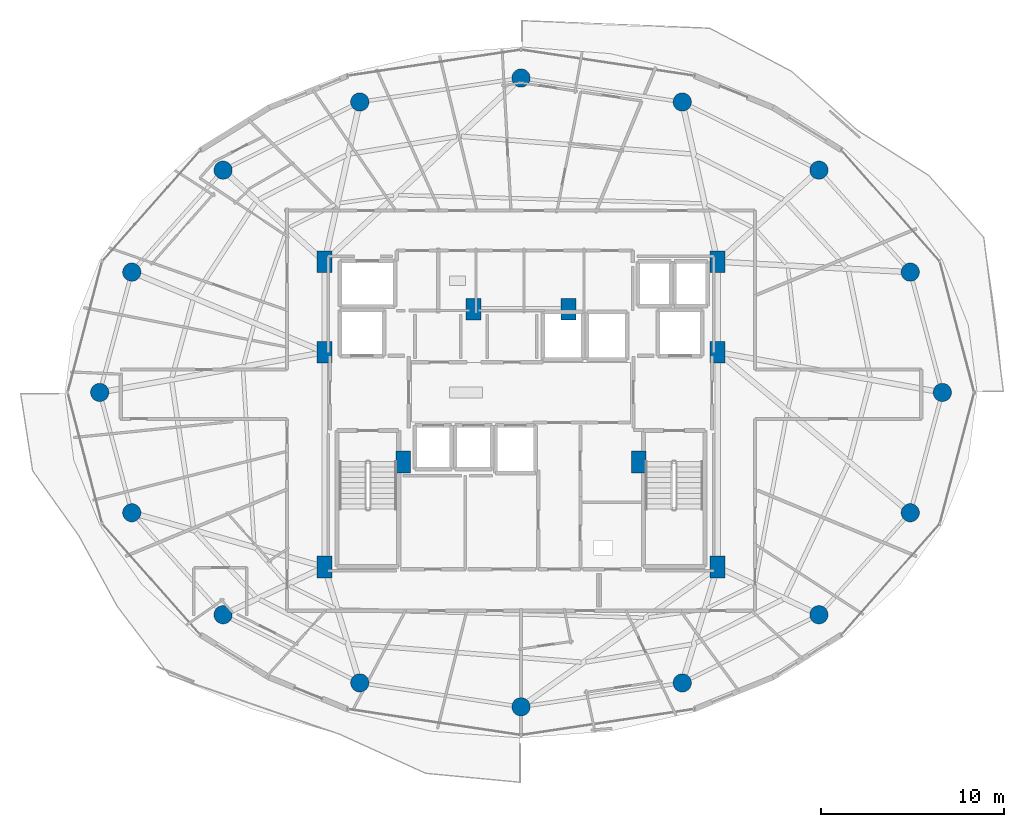
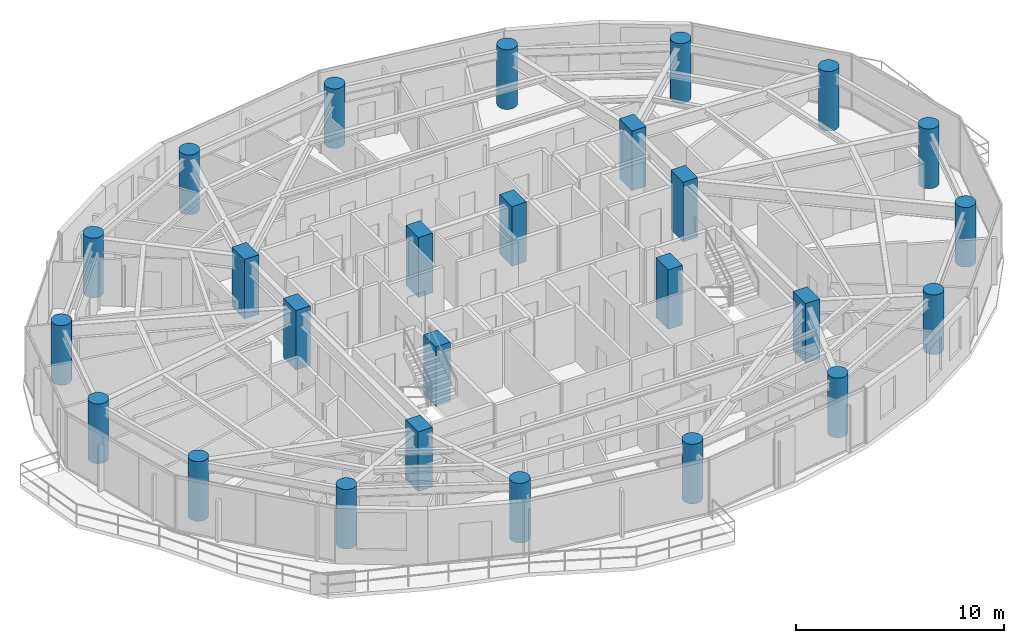
# One storey, part 1 of 28: 26 columns.
"""IFC4 building model written with IfcOpenShell, lengths in metres."""

from ifc_helpers import new_model, si_unit, direction, frame, origin, origin_2d, place, context, subcontext, project, spatial, rectangle, circle, extrude, material, material_profile, profile_set, type_object, element, save


model = new_model("IFC4")

# Units and contexts
model_context = context("Model", 3, precision=1e-05, world=origin(), true_north=direction((0.0, 1.0)))
body_context = subcontext(model_context, "Body", "Model", "MODEL_VIEW")
ifc_project = project(units=[si_unit("LENGTHUNIT", "METRE"), si_unit("AREAUNIT", "SQUARE_METRE"), si_unit("VOLUMEUNIT", "CUBIC_METRE"), si_unit("PLANEANGLEUNIT", "RADIAN"), si_unit("MASSUNIT", "GRAM", prefix="KILO")], contexts=[model_context])

# Site, building, storey
site_placement = place(None, origin())
site = spatial("IfcSite", under=ifc_project, at=site_placement, CompositionType="ELEMENT")
building_placement = place(site_placement, origin())
building = spatial("IfcBuilding", under=site, at=building_placement, Name="Vorneva Point Tower", CompositionType="ELEMENT")
storey_placement = place(building_placement, frame((0.0, 0.0, 160.60009765625)))
storey = spatial("IfcBuildingStorey", under=building, at=storey_placement, Name="L43", CompositionType="ELEMENT", Elevation=160.60009765625)

# Columns
ifc_material = material(Name="Concrete B60 (C50/60)", Category="concrete")
ifc_material_profile_1 = material_profile(ifc_material, circle(Radius=0.5, at=origin_2d()), Name="RC-CIRC 1000")
ifc_profile_set_1 = profile_set([ifc_material_profile_1], Name="Concrete B60 (C50/60)")
column_type_1 = type_object("IfcColumnType", Name="COL-RC1000C", PredefinedType="COLUMN", material=ifc_profile_set_1)
for number, where, z_axis, x_axis, name in (
    (1, (61.050048828125, 26.0, 0.0), (0.0, 0.0, 1.0), (1.0, 0.0, 0.0), "L43 Perimeter Column P01"),
    (2, (59.29541015625, 32.582275390625, 0.0), (0.0, 0.0, 1.0), (0.923879532511, 0.382683432365, 0.0), "L43 Perimeter Column P02"),
    (3, (54.298828125, 38.162109375, 0.0), (0.0, 0.0, 1.0), (0.707106781187, 0.707106781187, 0.0), "L43 Perimeter Column P03"),
    (4, (46.82080078125, 41.890625, 0.0), (0.0, 0.0, 1.0), (0.382683432365, 0.923879532511, 0.0), "L43 Perimeter Column P04"),
    (5, (38.0, 43.199951171875, 0.0), (0.0, 0.0, 1.0), (0.0, 1.0, 0.0), "L43 Perimeter Column P05"),
    (6, (29.17919921875, 41.890625, 0.0), (0.0, 0.0, 1.0), (-0.382683432365, 0.923879532511, 0.0), "L43 Perimeter Column P06"),
    (7, (21.701171875, 38.162109375, 0.0), (0.0, 0.0, 1.0), (-0.707106781187, 0.707106781187, 0.0), "L43 Perimeter Column P07"),
    (8, (16.70458984375, 32.582275390625, 0.0), (0.0, 0.0, 1.0), (-0.923879532511, 0.382683432365, 0.0), "L43 Perimeter Column P08"),
    (9, (14.949951171875, 26.0, 0.0), (0.0, 0.0, 1.0), (-1.0, 0.0, 0.0), "L43 Perimeter Column P09"),
    (10, (16.70458984375, 19.417724609375, 0.0), (0.0, 0.0, 1.0), (-0.923879532511, -0.382683432365, 0.0), "L43 Perimeter Column P10"),
    (11, (21.701171875, 13.837890625, 0.0), (0.0, 0.0, 1.0), (-0.707106781187, -0.707106781187, 0.0), "L43 Perimeter Column P11"),
    (12, (29.17919921875, 10.109375, 0.0), (0.0, 0.0, 1.0), (-0.382683432365, -0.923879532511, 0.0), "L43 Perimeter Column P12"),
    (13, (38.0, 8.800048828125, 0.0), (0.0, 0.0, 1.0), (0.0, -1.0, 0.0), "L43 Perimeter Column P13"),
    (14, (46.82080078125, 10.109375, 0.0), (0.0, 0.0, 1.0), (0.382683432365, -0.923879532511, 0.0), "L43 Perimeter Column P14"),
    (15, (54.298828125, 13.837890625, 0.0), (0.0, 0.0, 1.0), (0.707106781187, -0.707106781187, 0.0), "L43 Perimeter Column P15"),
    (16, (59.29541015625, 19.417724609375, 0.0), (0.0, 0.0, 1.0), (0.923879532511, -0.382683432365, 0.0), "L43 Perimeter Column P16"),
):
    element("IfcColumn", number, at=place(storey_placement, frame(where, z_axis=z_axis, x_axis=x_axis)), inside=storey, type_object=column_type_1, Name=name, PredefinedType="COLUMN", context=body_context, shape_type="SweptSolid", body=[
        extrude(circle(Radius=0.5, at=origin_2d()), origin(), (0.0, 0.0, 1.0), 3.5),
    ])
ifc_material_profile_2 = material_profile(ifc_material, rectangle(XDim=0.800048828125, YDim=1.199951171875, at=origin_2d()), Name="RC-PIL 1200x800")
ifc_profile_set_2 = profile_set([ifc_material_profile_2], Name="Concrete B60 (C50/60)")
column_type_2 = type_object("IfcColumnType", Name="PIL-RC1200x800", PredefinedType="PILASTER", material=ifc_profile_set_2)
for number, where, z_axis, x_axis, name in (
    (17, (27.25, 16.449951171875, 0.0), (0.0, 0.0, 1.0), (1.0, 0.0, 0.0), "L43 Core Pilaster CP1"),
    (18, (27.25, 28.199951171875, 0.0), (0.0, 0.0, 1.0), (1.0, 0.0, 0.0), "L43 Core Pilaster CP2"),
    (19, (27.25, 33.14990234375, 0.0), (0.0, 0.0, 1.0), (1.0, 0.0, 0.0), "L43 Core Pilaster CP3"),
    (20, (31.550048828125, 22.199951171875, 0.0), (0.0, 0.0, 1.0), (1.0, 0.0, 0.0), "L43 Core Pilaster CP4"),
    (21, (48.75, 33.14990234375, 0.0), (0.0, 0.0, 1.0), (1.0, 0.0, 0.0), "L43 Core Pilaster CP5"),
    (22, (48.75, 28.199951171875, 0.0), (0.0, 0.0, 1.0), (1.0, 0.0, 0.0), "L43 Core Pilaster CP6"),
    (23, (48.75, 16.449951171875, 0.0), (0.0, 0.0, 1.0), (1.0, 0.0, 0.0), "L43 Core Pilaster CP7"),
    (24, (44.449951171875, 22.199951171875, 0.0), (0.0, 0.0, 1.0), (1.0, 0.0, 0.0), "L43 Core Pilaster CP8"),
    (25, (35.39990234375, 30.550048828125, 0.0), (0.0, 0.0, 1.0), (1.0, 0.0, 0.0), "L43 Core Pilaster CP9"),
    (26, (40.60009765625, 30.550048828125, 0.0), (0.0, 0.0, 1.0), (1.0, 0.0, 0.0), "L43 Core Pilaster CP10"),
):
    element("IfcColumn", number, at=place(storey_placement, frame(where, z_axis=z_axis, x_axis=x_axis)), inside=storey, type_object=column_type_2, Name=name, PredefinedType="PILASTER", context=body_context, shape_type="SweptSolid", body=[
        extrude(rectangle(XDim=0.800048828125, YDim=1.199951171875, at=origin_2d()), origin(), (0.0, 0.0, 1.0), 3.5),
    ])

save(model, "model.ifc")
